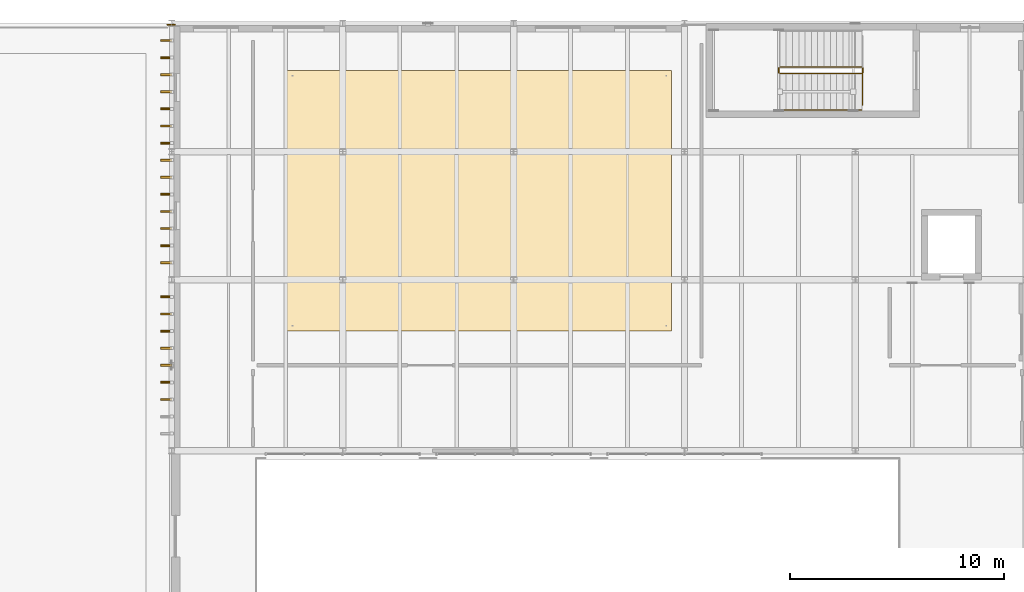
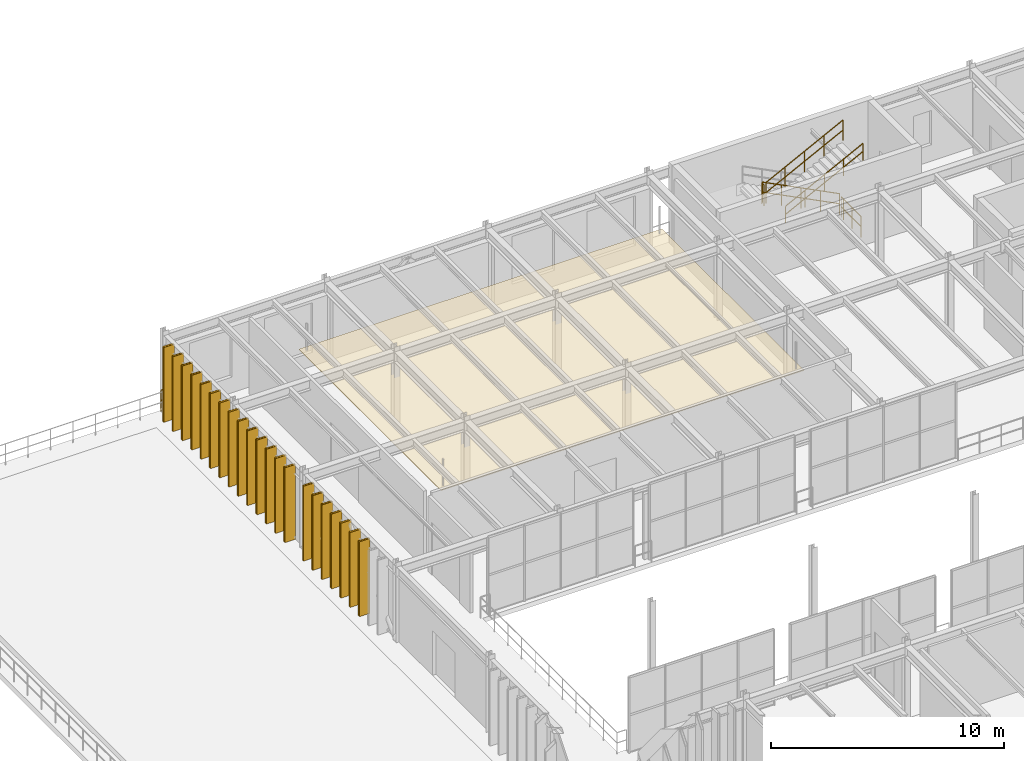
# One storey, part 117 of 122: 22 coverings, 21 shading devices, 7 railings.
"""IFC4 building model written with IfcOpenShell, lengths in metres."""

from ifc_helpers import new_model, si_unit, direction, frame, origin, origin_2d, place, context, subcontext, project, spatial, polyline, rectangle, circle, outline, extrude, material, layer, layer_set, type_object, element, save


model = new_model("IFC4")

# Units and contexts
model_context = context("Model", 3, precision=1e-05, world=origin(), true_north=direction((0.0, 1.0)))
body_context = subcontext(model_context, "Body", "Model", "MODEL_VIEW")
ifc_project = project(units=[si_unit("LENGTHUNIT", "METRE"), si_unit("AREAUNIT", "SQUARE_METRE"), si_unit("VOLUMEUNIT", "CUBIC_METRE"), si_unit("PLANEANGLEUNIT", "RADIAN"), si_unit("MASSUNIT", "GRAM", prefix="KILO")], contexts=[model_context])

# Site, building, storey
site_placement = place(None, origin())
site = spatial("IfcSite", under=ifc_project, at=site_placement, CompositionType="ELEMENT")
building_placement = place(site_placement, origin())
building = spatial("IfcBuilding", under=site, at=building_placement, Name="Sundkrona Museum", CompositionType="ELEMENT")
storey_placement = place(building_placement, frame((0.0, 0.0, 5.39990234375)))
storey = spatial("IfcBuildingStorey", under=building, at=storey_placement, Name="L01", CompositionType="ELEMENT", Elevation=5.39990234375)

# Coverings
ifc_material_1 = material(Name="Perforated Acoustic Gypsum and Mineral Wool Ceiling", Category="other")
ifc_layer_1 = layer(ifc_material_1, 0.0400390625)
ifc_layer_set_1 = layer_set([ifc_layer_1], Name="Perforated Acoustic Gypsum and Mineral Wool Ceiling")
covering_type_1 = type_object("IfcCoveringType", Name="COV-CEIL-AC", PredefinedType="CEILING", material=ifc_layer_set_1)
covering_placement = place(storey_placement, frame((0.0, 0.0, 2.550048828125)))
element("IfcCovering", 1, at=covering_placement, inside=storey, type_object=covering_type_1, Name="L01 Scandinavian Tapestry Cabinet Acoustic Ceiling", PredefinedType="CEILING", context=body_context, shape_type="SweptSolid", body=[
    extrude(outline(polyline([(21.39990234375, 99.60009765625), (39.39990234375, 99.60009765625), (39.39990234375, 111.800048828125), (21.39990234375, 111.800048828125), (21.39990234375, 99.60009765625)])), origin(), (0.0, 0.0, 1.0), 0.0400390625),
])
ifc_material_2 = material(Name="Frost-Resistant Vitrified Stoneware Mosaic Cladding", Category="masonry")
ifc_layer_2 = layer(ifc_material_2, 0.044921875)
ifc_layer_set_2 = layer_set([ifc_layer_2], Name="Frost-Resistant Vitrified Stoneware Mosaic Cladding")
covering_type_2 = type_object("IfcCoveringType", Name="COV-CLD-MOS", PredefinedType="CLADDING", material=ifc_layer_set_2)
for number, where, z_axis, x_axis, name in (
    (2, (15.7451171875, 96.39990234375, 0.000244140625), (0.0, 0.0, 1.0), (1.0, 0.0, 0.0), "L01 Vitrified Ceramic Brise-Soleil Casing W-156"),
    (3, (15.7451171875, 97.199951171875, 0.000244140625), (0.0, 0.0, 1.0), (1.0, 0.0, 0.0), "L01 Vitrified Ceramic Brise-Soleil Casing W-157"),
    (4, (15.7451171875, 98.0, 0.000244140625), (0.0, 0.0, 1.0), (1.0, 0.0, 0.0), "L01 Vitrified Ceramic Brise-Soleil Casing W-158"),
    (5, (15.7451171875, 98.800048828125, 0.000244140625), (0.0, 0.0, 1.0), (1.0, 0.0, 0.0), "L01 Vitrified Ceramic Brise-Soleil Casing W-159"),
    (6, (15.7451171875, 99.60009765625, 0.000244140625), (0.0, 0.0, 1.0), (1.0, 0.0, 0.0), "L01 Vitrified Ceramic Brise-Soleil Casing W-160"),
    (7, (15.7451171875, 100.39990234375, 0.000244140625), (0.0, 0.0, 1.0), (1.0, 0.0, 0.0), "L01 Vitrified Ceramic Brise-Soleil Casing W-161"),
    (8, (15.7451171875, 101.199951171875, 0.000244140625), (0.0, 0.0, 1.0), (1.0, 0.0, 0.0), "L01 Vitrified Ceramic Brise-Soleil Casing W-162"),
    (9, (15.7451171875, 102.800048828125, 0.000244140625), (0.0, 0.0, 1.0), (1.0, 0.0, 0.0), "L01 Vitrified Ceramic Brise-Soleil Casing W-163"),
    (10, (15.7451171875, 103.60009765625, 0.000244140625), (0.0, 0.0, 1.0), (1.0, 0.0, 0.0), "L01 Vitrified Ceramic Brise-Soleil Casing W-164"),
    (11, (15.7451171875, 104.39990234375, 0.000244140625), (0.0, 0.0, 1.0), (1.0, 0.0, 0.0), "L01 Vitrified Ceramic Brise-Soleil Casing W-165"),
    (12, (15.7451171875, 105.199951171875, 0.000244140625), (0.0, 0.0, 1.0), (1.0, 0.0, 0.0), "L01 Vitrified Ceramic Brise-Soleil Casing W-166"),
    (13, (15.7451171875, 106.0, 0.000244140625), (0.0, 0.0, 1.0), (1.0, 0.0, 0.0), "L01 Vitrified Ceramic Brise-Soleil Casing W-167"),
    (14, (15.7451171875, 106.800048828125, 0.000244140625), (0.0, 0.0, 1.0), (1.0, 0.0, 0.0), "L01 Vitrified Ceramic Brise-Soleil Casing W-168"),
    (15, (15.7451171875, 107.60009765625, 0.000244140625), (0.0, 0.0, 1.0), (1.0, 0.0, 0.0), "L01 Vitrified Ceramic Brise-Soleil Casing W-169"),
    (16, (15.7451171875, 108.39990234375, 0.000244140625), (0.0, 0.0, 1.0), (1.0, 0.0, 0.0), "L01 Vitrified Ceramic Brise-Soleil Casing W-170"),
    (17, (15.7451171875, 109.199951171875, 0.000244140625), (0.0, 0.0, 1.0), (1.0, 0.0, 0.0), "L01 Vitrified Ceramic Brise-Soleil Casing W-171"),
    (18, (15.7451171875, 110.0, 0.000244140625), (0.0, 0.0, 1.0), (1.0, 0.0, 0.0), "L01 Vitrified Ceramic Brise-Soleil Casing W-172"),
    (19, (15.7451171875, 110.800048828125, 0.000244140625), (0.0, 0.0, 1.0), (1.0, 0.0, 0.0), "L01 Vitrified Ceramic Brise-Soleil Casing W-173"),
    (20, (15.7451171875, 111.60009765625, 0.000244140625), (0.0, 0.0, 1.0), (1.0, 0.0, 0.0), "L01 Vitrified Ceramic Brise-Soleil Casing W-174"),
    (21, (15.7451171875, 112.39990234375, 0.000244140625), (0.0, 0.0, 1.0), (1.0, 0.0, 0.0), "L01 Vitrified Ceramic Brise-Soleil Casing W-175"),
    (22, (15.7451171875, 113.199951171875, 0.000244140625), (0.0, 0.0, 1.0), (1.0, 0.0, 0.0), "L01 Vitrified Ceramic Brise-Soleil Casing W-176"),
):
    element("IfcCovering", number, at=place(storey_placement, frame(where, z_axis=z_axis, x_axis=x_axis)), inside=storey, type_object=covering_type_2, Name=name, PredefinedType="CLADDING", context=body_context, shape_type="SweptSolid", body=[
        extrude(rectangle(XDim=0.530029296875, YDim=0.110107421875, at=origin_2d()), origin(), (0.0, 0.0, 1.0), 3.919921875),
    ])

# Shading devices
ifc_material_3 = material(Name="Vitrified Stoneware Ceramic on Galvanised Steel Core", Category="masonry")
ifc_layer_3 = layer(ifc_material_3, 0.080078125)
ifc_layer_set_3 = layer_set([ifc_layer_3], Name="Vitrified Stoneware Ceramic on Galvanised Steel Core")
shading_device_type = type_object("IfcShadingDeviceType", Name="FIN-CER-520", PredefinedType="USERDEFINED", material=ifc_layer_set_3)
for number, where, z_axis, x_axis, name in (
    (23, (15.739990234375, 96.39990234375, 0.000244140625), (0.0, 0.0, 1.0), (1.0, 0.0, 0.0), "L01 Ceramic Brise-Soleil Fin W-156"),
    (24, (15.739990234375, 97.199951171875, 0.000244140625), (0.0, 0.0, 1.0), (1.0, 0.0, 0.0), "L01 Ceramic Brise-Soleil Fin W-157"),
    (25, (15.739990234375, 98.0, 0.000244140625), (0.0, 0.0, 1.0), (1.0, 0.0, 0.0), "L01 Ceramic Brise-Soleil Fin W-158"),
    (26, (15.739990234375, 98.800048828125, 0.000244140625), (0.0, 0.0, 1.0), (1.0, 0.0, 0.0), "L01 Ceramic Brise-Soleil Fin W-159"),
    (27, (15.739990234375, 99.60009765625, 0.000244140625), (0.0, 0.0, 1.0), (1.0, 0.0, 0.0), "L01 Ceramic Brise-Soleil Fin W-160"),
    (28, (15.739990234375, 100.39990234375, 0.000244140625), (0.0, 0.0, 1.0), (1.0, 0.0, 0.0), "L01 Ceramic Brise-Soleil Fin W-161"),
    (29, (15.739990234375, 101.199951171875, 0.000244140625), (0.0, 0.0, 1.0), (1.0, 0.0, 0.0), "L01 Ceramic Brise-Soleil Fin W-162"),
    (30, (15.739990234375, 102.800048828125, 0.000244140625), (0.0, 0.0, 1.0), (1.0, 0.0, 0.0), "L01 Ceramic Brise-Soleil Fin W-163"),
    (31, (15.739990234375, 103.60009765625, 0.000244140625), (0.0, 0.0, 1.0), (1.0, 0.0, 0.0), "L01 Ceramic Brise-Soleil Fin W-164"),
    (32, (15.739990234375, 104.39990234375, 0.000244140625), (0.0, 0.0, 1.0), (1.0, 0.0, 0.0), "L01 Ceramic Brise-Soleil Fin W-165"),
    (33, (15.739990234375, 105.199951171875, 0.000244140625), (0.0, 0.0, 1.0), (1.0, 0.0, 0.0), "L01 Ceramic Brise-Soleil Fin W-166"),
    (34, (15.739990234375, 106.0, 0.000244140625), (0.0, 0.0, 1.0), (1.0, 0.0, 0.0), "L01 Ceramic Brise-Soleil Fin W-167"),
    (35, (15.739990234375, 106.800048828125, 0.000244140625), (0.0, 0.0, 1.0), (1.0, 0.0, 0.0), "L01 Ceramic Brise-Soleil Fin W-168"),
    (36, (15.739990234375, 107.60009765625, 0.000244140625), (0.0, 0.0, 1.0), (1.0, 0.0, 0.0), "L01 Ceramic Brise-Soleil Fin W-169"),
    (37, (15.739990234375, 108.39990234375, 0.000244140625), (0.0, 0.0, 1.0), (1.0, 0.0, 0.0), "L01 Ceramic Brise-Soleil Fin W-170"),
    (38, (15.739990234375, 109.199951171875, 0.000244140625), (0.0, 0.0, 1.0), (1.0, 0.0, 0.0), "L01 Ceramic Brise-Soleil Fin W-171"),
    (39, (15.739990234375, 110.0, 0.000244140625), (0.0, 0.0, 1.0), (1.0, 0.0, 0.0), "L01 Ceramic Brise-Soleil Fin W-172"),
    (40, (15.739990234375, 110.800048828125, 0.000244140625), (0.0, 0.0, 1.0), (1.0, 0.0, 0.0), "L01 Ceramic Brise-Soleil Fin W-173"),
    (41, (15.739990234375, 111.60009765625, 0.000244140625), (0.0, 0.0, 1.0), (1.0, 0.0, 0.0), "L01 Ceramic Brise-Soleil Fin W-174"),
    (42, (15.739990234375, 112.39990234375, 0.000244140625), (0.0, 0.0, 1.0), (1.0, 0.0, 0.0), "L01 Ceramic Brise-Soleil Fin W-175"),
    (43, (15.739990234375, 113.199951171875, 0.000244140625), (0.0, 0.0, 1.0), (1.0, 0.0, 0.0), "L01 Ceramic Brise-Soleil Fin W-176"),
):
    element("IfcShadingDevice", number, at=place(storey_placement, frame(where, z_axis=z_axis, x_axis=x_axis)), inside=storey, type_object=shading_device_type, Name=name, ObjectType="SOLAR FIN", PredefinedType="USERDEFINED", context=body_context, shape_type="SweptSolid", body=[
        extrude(rectangle(XDim=0.52001953125, YDim=0.080078125, at=origin_2d()), origin(), (0.0, 0.0, 1.0), 3.919921875),
    ])

# Railings
ifc_material_4 = material(Name="Painted Steel S355J2 and Laminated Glass Balustrade", Category="steel")
railing_type_1 = type_object("IfcRailingType", Name="RL-GUARD-1100", PredefinedType="BALUSTRADE", material=ifc_material_4)
railing_1_placement = place(storey_placement, frame((48.300048828125, 111.949951171875, 0.150146484375)))
element("IfcRailing", 44, at=railing_1_placement, inside=storey, type_object=railing_type_1, Name="L01 ST-3 stair guard 1", PredefinedType="BALUSTRADE", context=body_context, shape_type="SweptSolid", body=[
    extrude(circle(Radius=0.02392578125, at=origin_2d()), frame((0.0, 0.0, 1.076171875), z_axis=(-0.891387850335, 0.0, 0.453241326752), x_axis=(0.0, -1.0, 0.0)), (0.0, 0.0, 1.0), 4.30224609375),
    extrude(circle(Radius=0.02392578125, at=origin_2d()), frame((0.0, 0.0, 0.550048828125), z_axis=(-0.891387850335, 0.0, 0.453241326752), x_axis=(0.0, -1.0, 0.0)), (0.0, 0.0, 1.0), 4.30224609375),
    extrude(circle(Radius=0.02099609375, at=origin_2d()), origin(), (0.0, 0.0, 1.0), 1.052001953125),
    extrude(circle(Radius=0.02099609375, at=origin_2d()), frame((-0.958740234375, 0.0, 0.487548828125)), (0.0, 0.0, 1.0), 1.052001953125),
    extrude(circle(Radius=0.02099609375, at=origin_2d()), frame((-1.91748046875, 0.0, 0.97509765625)), (0.0, 0.0, 1.0), 1.052001953125),
    extrude(circle(Radius=0.02099609375, at=origin_2d()), frame((-2.876220703125, 0.0, 1.46240234375)), (0.0, 0.0, 1.0), 1.052001953125),
    extrude(circle(Radius=0.02099609375, at=origin_2d()), frame((-3.8349609375, 0.0, 1.949951171875)), (0.0, 0.0, 1.0), 1.052001953125),
])
railing_2_placement = place(storey_placement, frame((44.4150390625, 111.89990234375, 2.10009765625)))
element("IfcRailing", 45, at=railing_2_placement, inside=storey, type_object=railing_type_1, Name="L01 ST-3 stair guard 2", PredefinedType="BALUSTRADE", context=body_context, shape_type="SweptSolid", body=[
    extrude(circle(Radius=0.02392578125, at=origin_2d()), frame((0.0, 0.0, 1.076171875), z_axis=(0.0, -1.0, 0.0), x_axis=(1.0, 0.0, 0.0)), (0.0, 0.0, 1.0), 0.199951171875),
    extrude(circle(Radius=0.02392578125, at=origin_2d()), frame((0.0, 0.0, 0.550048828125), z_axis=(0.0, -1.0, 0.0), x_axis=(1.0, 0.0, 0.0)), (0.0, 0.0, 1.0), 0.199951171875),
    extrude(circle(Radius=0.02099609375, at=origin_2d()), origin(), (0.0, 0.0, 1.0), 1.052001953125),
    extrude(circle(Radius=0.02099609375, at=origin_2d()), frame((0.0, -0.199951171875, 0.0)), (0.0, 0.0, 1.0), 1.052001953125),
])
railing_3_placement = place(storey_placement, frame((44.465087890625, 111.64990234375, 2.25)))
element("IfcRailing", 46, at=railing_3_placement, inside=storey, type_object=railing_type_1, Name="L01 ST-3 stair guard 3", PredefinedType="BALUSTRADE", context=body_context, shape_type="SweptSolid", body=[
    extrude(circle(Radius=0.02392578125, at=origin_2d()), frame((0.0, 0.0, 1.076171875), z_axis=(0.891364923058, 0.0, 0.453286414909), x_axis=(0.0, 1.0, 0.0)), (0.0, 0.0, 1.0), 4.30224609375),
    extrude(circle(Radius=0.02392578125, at=origin_2d()), frame((0.0, 0.0, 0.550048828125), z_axis=(0.891364923058, 0.0, 0.453286414909), x_axis=(0.0, 1.0, 0.0)), (0.0, 0.0, 1.0), 4.30224609375),
    extrude(circle(Radius=0.02099609375, at=origin_2d()), origin(), (0.0, 0.0, 1.0), 1.052001953125),
    extrude(circle(Radius=0.02099609375, at=origin_2d()), frame((0.958740234375, 0.0, 0.487548828125)), (0.0, 0.0, 1.0), 1.052001953125),
    extrude(circle(Radius=0.02099609375, at=origin_2d()), frame((1.91748046875, 0.0, 0.97509765625)), (0.0, 0.0, 1.0), 1.052001953125),
    extrude(circle(Radius=0.02099609375, at=origin_2d()), frame((2.876220703125, 0.0, 1.462646484375)), (0.0, 0.0, 1.0), 1.052001953125),
    extrude(circle(Radius=0.02099609375, at=origin_2d()), frame((3.8349609375, 0.0, 1.9501953125)), (0.0, 0.0, 1.0), 1.052001953125),
])
railing_4_placement = place(storey_placement, frame((48.35009765625, 111.89990234375, 0.0)))
element("IfcRailing", 47, at=railing_4_placement, inside=storey, type_object=railing_type_1, Name="L01 ST-3 stair guard 4", PredefinedType="BALUSTRADE", context=body_context, shape_type="SweptSolid", body=[
    extrude(circle(Radius=0.02392578125, at=origin_2d()), frame((0.0, 0.0, 1.076171875), z_axis=(0.0, -1.0, 0.0), x_axis=(1.0, 0.0, 0.0)), (0.0, 0.0, 1.0), 0.199951171875),
    extrude(circle(Radius=0.02392578125, at=origin_2d()), frame((0.0, 0.0, 0.550048828125), z_axis=(0.0, -1.0, 0.0), x_axis=(1.0, 0.0, 0.0)), (0.0, 0.0, 1.0), 0.199951171875),
    extrude(circle(Radius=0.02099609375, at=origin_2d()), origin(), (0.0, 0.0, 1.0), 1.052001953125),
    extrude(circle(Radius=0.02099609375, at=origin_2d()), frame((0.0, -0.199951171875, 0.0)), (0.0, 0.0, 1.0), 1.052001953125),
])
railing_5_placement = place(storey_placement, frame((15.800048828125, 113.93994140625, 0.0)))
element("IfcRailing", 48, at=railing_5_placement, inside=storey, type_object=railing_type_1, Name="L01 Edge Protection Balustrade 002", PredefinedType="BALUSTRADE", context=body_context, shape_type="SweptSolid", body=[
    extrude(circle(Radius=0.02392578125, at=origin_2d()), frame((0.0, 0.0, 1.09619140625), z_axis=(1.0, 0.0, 0.0), x_axis=(0.0, 1.0, 0.0)), (0.0, 0.0, 1.0), 0.342041015625),
    extrude(circle(Radius=0.02392578125, at=origin_2d()), frame((0.0, 0.0, 0.56005859375), z_axis=(1.0, 0.0, 0.0), x_axis=(0.0, 1.0, 0.0)), (0.0, 0.0, 1.0), 0.342041015625),
    extrude(circle(Radius=0.02099609375, at=origin_2d()), origin(), (0.0, 0.0, 1.0), 1.072021484375),
    extrude(circle(Radius=0.02099609375, at=origin_2d()), frame((0.342041015625, 0.0, 0.0)), (0.0, 0.0, 1.0), 1.072021484375),
])
railing_6_placement = place(storey_placement, frame((48.3349609375, 110.179931640625, 0.0)))
element("IfcRailing", 49, at=railing_6_placement, inside=storey, type_object=railing_type_1, Name="L01 Edge Protection Balustrade 020", PredefinedType="BALUSTRADE", context=body_context, shape_type="SweptSolid", body=[
    extrude(circle(Radius=0.02392578125, at=origin_2d()), frame((0.0, 0.0, 1.09619140625), z_axis=(0.0, 1.0, 0.0), x_axis=(-1.0, 0.0, 0.0)), (0.0, 0.0, 1.0), 1.52001953125),
    extrude(circle(Radius=0.02392578125, at=origin_2d()), frame((0.0, 0.0, 0.56005859375), z_axis=(0.0, 1.0, 0.0), x_axis=(-1.0, 0.0, 0.0)), (0.0, 0.0, 1.0), 1.52001953125),
    extrude(circle(Radius=0.02099609375, at=origin_2d()), origin(), (0.0, 0.0, 1.0), 1.072021484375),
    extrude(circle(Radius=0.02099609375, at=origin_2d()), frame((0.0, 0.760009765625, 0.0)), (0.0, 0.0, 1.0), 1.072021484375),
    extrude(circle(Radius=0.02099609375, at=origin_2d()), frame((0.0, 1.52001953125, 0.0)), (0.0, 0.0, 1.0), 1.072021484375),
])
ifc_material_5 = material(Name="Brushed Bronze-Clad Steel Handrail", Category="steel")
railing_type_2 = type_object("IfcRailingType", Name="RL-HAND-900", PredefinedType="HANDRAIL", material=ifc_material_5)
railing_7_placement = place(storey_placement, frame((44.465087890625, 109.949951171875, 2.25)))
element("IfcRailing", 50, at=railing_7_placement, inside=storey, type_object=railing_type_2, Name="L01 ST-3 stair handrail 2", PredefinedType="HANDRAIL", context=body_context, shape_type="SweptSolid", body=[
    extrude(circle(Radius=0.02392578125, at=origin_2d()), frame((0.0, 0.0, 0.8759765625), z_axis=(0.891364923058, 0.0, 0.453286414909), x_axis=(0.0, 1.0, 0.0)), (0.0, 0.0, 1.0), 4.30224609375),
    extrude(circle(Radius=0.02392578125, at=origin_2d()), frame((0.0, 0.0, 0.449951171875), z_axis=(0.891364923058, 0.0, 0.453286414909), x_axis=(0.0, 1.0, 0.0)), (0.0, 0.0, 1.0), 4.30224609375),
    extrude(circle(Radius=0.02099609375, at=origin_2d()), origin(), (0.0, 0.0, 1.0), 0.851806640625),
    extrude(circle(Radius=0.02099609375, at=origin_2d()), frame((0.958740234375, 0.0, 0.487548828125)), (0.0, 0.0, 1.0), 0.851806640625),
    extrude(circle(Radius=0.02099609375, at=origin_2d()), frame((1.91748046875, 0.0, 0.97509765625)), (0.0, 0.0, 1.0), 0.851806640625),
    extrude(circle(Radius=0.02099609375, at=origin_2d()), frame((2.876220703125, 0.0, 1.462646484375)), (0.0, 0.0, 1.0), 0.851806640625),
    extrude(circle(Radius=0.02099609375, at=origin_2d()), frame((3.8349609375, 0.0, 1.9501953125)), (0.0, 0.0, 1.0), 0.851806640625),
])

save(model, "model.ifc")
